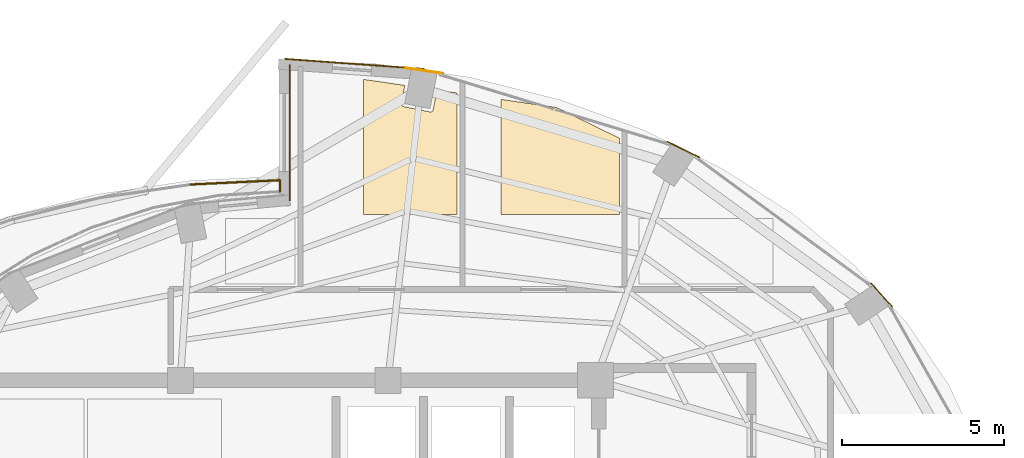
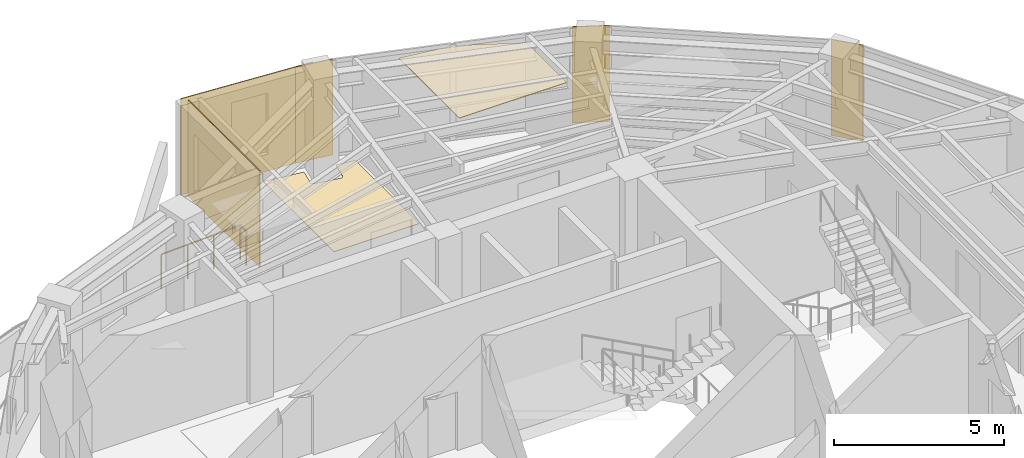
# One storey, part 15 of 15: 7 coverings, 2 railings.
"""IFC4 building model written with IfcOpenShell, lengths in metres."""

from ifc_helpers import new_model, si_unit, direction, frame, origin, origin_2d, place, context, subcontext, project, spatial, polyline, rectangle, circle, outline, extrude, material, layer, layer_set, type_object, element, save


model = new_model("IFC4")

# Units and contexts
model_context = context("Model", 3, precision=1e-05, world=origin(), true_north=direction((0.0, 1.0)))
body_context = subcontext(model_context, "Body", "Model", "MODEL_VIEW")
ifc_project = project(units=[si_unit("LENGTHUNIT", "METRE"), si_unit("AREAUNIT", "SQUARE_METRE"), si_unit("VOLUMEUNIT", "CUBIC_METRE"), si_unit("PLANEANGLEUNIT", "RADIAN"), si_unit("MASSUNIT", "GRAM", prefix="KILO")], contexts=[model_context])

# Site, building, storey
site_placement = place(None, origin())
site = spatial("IfcSite", under=ifc_project, at=site_placement, CompositionType="ELEMENT")
building_placement = place(site_placement, origin())
building = spatial("IfcBuilding", under=site, at=building_placement, Name="Lazwardi Medical Tower", CompositionType="ELEMENT")
storey_placement = place(building_placement, frame((0.0, 0.0, 269.615966796875)))
storey = spatial("IfcBuildingStorey", under=building, at=storey_placement, Name="L70", CompositionType="ELEMENT", Elevation=269.615966796875)

# Coverings
ifc_material_1 = material(Name="Anodised bronze aluminium cassette cladding", Category="aluminium")
ifc_layer_1 = layer(ifc_material_1, 0.030029296875)
ifc_layer_set_1 = layer_set([ifc_layer_1], Name="Anodised bronze aluminium cassette cladding")
covering_type_1 = type_object("IfcCoveringType", Name="COV-CLD-BRZ", PredefinedType="CLADDING", material=ifc_layer_set_1)
covering_1_placement = place(storey_placement, frame((54.42529296875, 38.234619140625, 0.0), z_axis=(0.0, 0.0, 1.0), x_axis=(-0.673240970654, 0.739423150458, 0.0)))
element("IfcCovering", 1, at=covering_1_placement, inside=storey, type_object=covering_type_1, Name="L70 Mega-column bronze cassette cover M06", PredefinedType="CLADDING", context=body_context, shape_type="SweptSolid", body=[
    extrude(rectangle(XDim=0.98974609375, YDim=0.030029296875, at=origin_2d()), origin(), (0.0, 0.0, 1.0), 3.447998046875),
])
covering_2_placement = place(storey_placement, frame((48.311279296875, 42.721435546875, 0.0), z_axis=(0.0, 0.0, 1.0), x_axis=(-0.897840141691, 0.440321564278, 0.0)))
element("IfcCovering", 2, at=covering_2_placement, inside=storey, type_object=covering_type_1, Name="L70 Mega-column bronze cassette cover M07", PredefinedType="CLADDING", context=body_context, shape_type="SweptSolid", body=[
    extrude(rectangle(XDim=1.110595703125, YDim=0.030029296875, at=origin_2d()), origin(), (0.0, 0.0, 1.0), 3.447998046875),
])
covering_3_placement = place(storey_placement, frame((40.3232421875, 45.1494140625, 0.0), z_axis=(0.0, 0.0, 1.0), x_axis=(-0.989512431533, 0.144447733943, 0.0)))
element("IfcCovering", 3, at=covering_3_placement, inside=storey, type_object=covering_type_1, Name="L70 Mega-column bronze cassette cover M08", PredefinedType="CLADDING", context=body_context, shape_type="SweptSolid", body=[
    extrude(rectangle(XDim=1.188720703125, YDim=0.030029296875, at=origin_2d()), origin(), (0.0, 0.0, 1.0), 3.447998046875),
])
ifc_material_2 = material(Name="Turquoise glazed ceramic tilework cladding", Category="masonry")
ifc_layer_2 = layer(ifc_material_2, 0.034912109375)
ifc_layer_set_2 = layer_set([ifc_layer_2], Name="Turquoise glazed ceramic tilework cladding")
covering_type_2 = type_object("IfcCoveringType", Name="COV-CLD-TRQ", PredefinedType="CLADDING", material=ifc_layer_set_2)
covering_4_placement = place(storey_placement, frame((38.16259765625, 45.360107421875, 0.0), z_axis=(0.0, 0.0, 1.0), x_axis=(-0.997409491337, 0.071932653157, 0.0)))
element("IfcCovering", 4, at=covering_4_placement, inside=storey, type_object=covering_type_2, Name="L70 Turquoise glazed ceramic tilework cladding", PredefinedType="CLADDING", context=body_context, shape_type="SweptSolid", body=[
    extrude(rectangle(XDim=4.31103515625, YDim=0.034912109375, at=origin_2d()), origin(), (0.0, 0.0, 1.0), 3.447998046875),
])
covering_5_placement = place(storey_placement, frame((36.175537109375, 43.239990234375, 0.0), z_axis=(0.0, 0.0, 1.0), x_axis=(0.0, -1.0, 0.0)))
element("IfcCovering", 5, at=covering_5_placement, inside=storey, type_object=covering_type_2, Name="L70 Turquoise glazed ceramic tilework iwan panel", PredefinedType="CLADDING", context=body_context, shape_type="SweptSolid", body=[
    extrude(rectangle(XDim=4.199951171875, YDim=0.034912109375, at=origin_2d()), origin(), (0.0, 0.0, 1.0), 3.447998046875),
])
ifc_material_3 = material(Name="Acoustic mineral fibre tile")
ifc_layer_3 = layer(ifc_material_3, 0.02490234375)
ifc_layer_set_3 = layer_set([ifc_layer_3], Name="Acoustic mineral fibre tile")
covering_type_3 = type_object("IfcCoveringType", Name="COV-CLG-01", PredefinedType="CEILING", material=ifc_layer_set_3)
covering_6_placement = place(storey_placement, frame((0.0, 0.0, 3.302978515625)))
element("IfcCovering", 6, at=covering_6_placement, inside=storey, type_object=covering_type_3, Name="L70 Clinical Acoustic Ceiling 9", PredefinedType="CEILING", context=body_context, shape_type="SweptSolid", body=[
    extrude(outline(polyline([(46.3349609375, 40.71630859375), (46.3349609375, 43.0703125), (44.40283203125, 44.015380859375), (42.69189453125, 44.2646484375), (42.69189453125, 40.71630859375), (46.3349609375, 40.71630859375)])), origin(), (0.0, 0.0, 1.0), 0.025146484375),
])
ifc_material_4 = material(Name="Anti-static hospital vinyl sheet flooring")
ifc_layer_4 = layer(ifc_material_4, 0.014892578125)
ifc_layer_set_4 = layer_set([ifc_layer_4], Name="Anti-static hospital vinyl sheet flooring")
covering_type_4 = type_object("IfcCoveringType", Name="COV-FLR-01", PredefinedType="FLOORING", material=ifc_layer_set_4)
covering_7_placement = place(storey_placement, origin())
element("IfcCovering", 7, at=covering_7_placement, inside=storey, type_object=covering_type_4, Name="L70 Clinical Vinyl Flooring 8", PredefinedType="FLOORING", context=body_context, shape_type="SweptSolid", body=[
    extrude(outline(polyline([(41.3349609375, 40.71630859375), (41.3349609375, 44.46240234375), (40.714599609375, 44.552490234375), (40.59326171875, 43.941650390625), (40.59130859375, 43.93408203125), (40.588623046875, 43.9267578125), (40.585205078125, 43.919677734375), (40.581298828125, 43.912841796875), (40.576416015625, 43.906494140625), (40.5712890625, 43.900634765625), (40.5654296875, 43.8955078125), (40.55908203125, 43.890869140625), (40.552490234375, 43.88671875), (40.54541015625, 43.88330078125), (40.537841796875, 43.880615234375), (40.5302734375, 43.87890625), (40.5224609375, 43.877685546875), (40.5146484375, 43.877197265625), (40.5068359375, 43.877685546875), (40.4990234375, 43.87890625), (39.67529296875, 44.042724609375), (39.667724609375, 44.044677734375), (39.660400390625, 44.04736328125), (39.6533203125, 44.050537109375), (39.646484375, 44.0546875), (39.64013671875, 44.059326171875), (39.63427734375, 44.064697265625), (39.629150390625, 44.0703125), (39.62451171875, 44.076904296875), (39.620361328125, 44.08349609375), (39.616943359375, 44.090576171875), (39.6142578125, 44.097900390625), (39.6123046875, 44.105712890625), (39.611328125, 44.11328125), (39.61083984375, 44.12109375), (39.611328125, 44.12890625), (39.6123046875, 44.13671875), (39.723876953125, 44.697021484375), (38.44189453125, 44.883544921875), (38.44189453125, 40.71630859375), (41.3349609375, 40.71630859375)])), origin(), (0.0, 0.0, 1.0), 0.01513671875),
])

# Railings
ifc_material_5 = material(Name="Anodised bronze aluminium and laminated glass", Category="aluminium")
railing_type = type_object("IfcRailingType", Name="RLG-SKG-1250", PredefinedType="GUARDRAIL", material=ifc_material_5)
railing_1_placement = place(storey_placement, frame((33.114013671875, 41.64111328125, 0.0)))
element("IfcRailing", 8, at=railing_1_placement, inside=storey, type_object=railing_type, Name="L70 West Roof Terrace Perimeter Guard 24", PredefinedType="GUARDRAIL", context=body_context, shape_type="SweptSolid", body=[
    extrude(circle(Radius=0.02392578125, at=origin_2d()), frame((0.0, 0.0, 1.22607421875), z_axis=(0.998845202256, 0.048044374597, 0.0), x_axis=(-0.048044374597, 0.998845202256, 0.0)), (0.0, 0.0, 1.0), 2.75927734375),
    extrude(circle(Radius=0.02099609375, at=origin_2d()), origin(), (0.0, 0.0, 1.0), 1.199951171875),
    extrude(circle(Radius=0.02099609375, at=origin_2d()), frame((0.918701171875, 0.044189453125, 0.0)), (0.0, 0.0, 1.0), 1.199951171875),
    extrude(circle(Radius=0.02099609375, at=origin_2d()), frame((1.83740234375, 0.08837890625, 0.0)), (0.0, 0.0, 1.0), 1.199951171875),
    extrude(circle(Radius=0.02099609375, at=origin_2d()), frame((2.756103515625, 0.132568359375, 0.0)), (0.0, 0.0, 1.0), 1.199951171875),
])
railing_2_placement = place(storey_placement, frame((35.8701171875, 41.773681640625, 0.0)))
element("IfcRailing", 9, at=railing_2_placement, inside=storey, type_object=railing_type, Name="L70 West Roof Terrace Perimeter Guard 25", PredefinedType="GUARDRAIL", context=body_context, shape_type="SweptSolid", body=[
    extrude(circle(Radius=0.02392578125, at=origin_2d()), frame((0.0, 0.0, 1.22607421875), z_axis=(0.0, -1.0, 0.0), x_axis=(1.0, 0.0, 0.0)), (0.0, 0.0, 1.0), 0.3515625),
    extrude(circle(Radius=0.02099609375, at=origin_2d()), origin(), (0.0, 0.0, 1.0), 1.199951171875),
    extrude(circle(Radius=0.02099609375, at=origin_2d()), frame((0.0, -0.3515625, 0.0)), (0.0, 0.0, 1.0), 1.199951171875),
])

save(model, "model.ifc")
